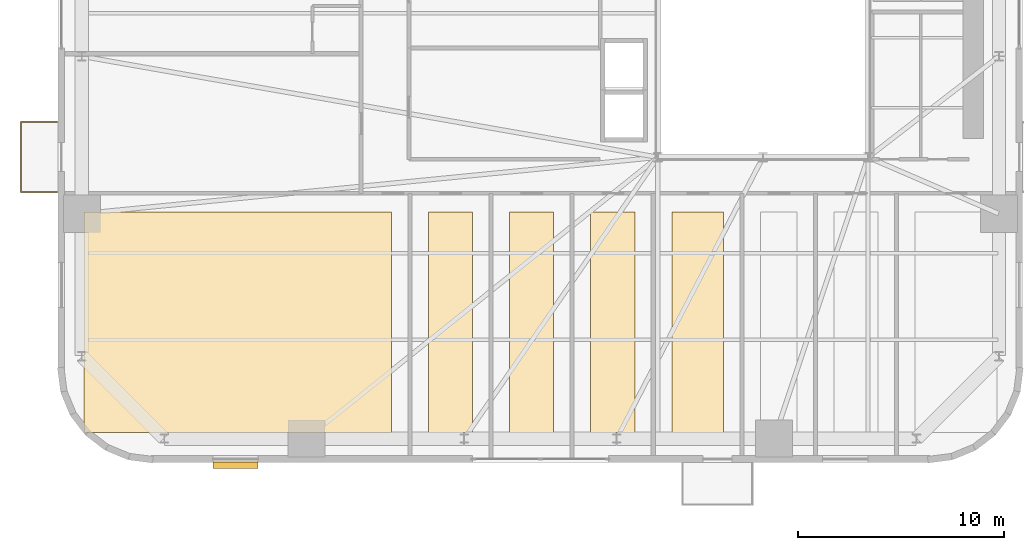
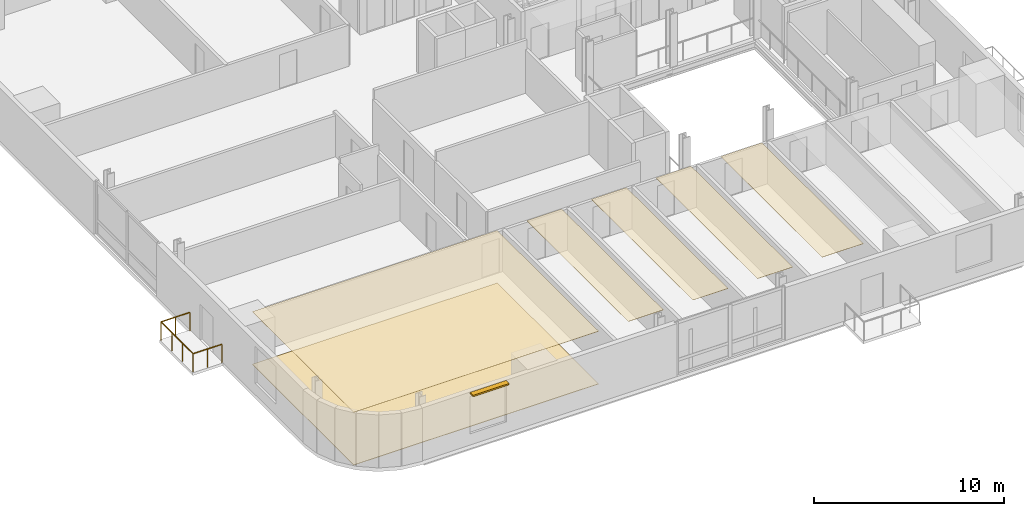
# One storey, part 10 of 13: 6 coverings, 1 railing, 1 shading device.
"""IFC4 building model written with IfcOpenShell, lengths in metres."""

from ifc_helpers import new_model, si_unit, direction, frame, origin, origin_2d, place, context, subcontext, project, spatial, polyline, rectangle, outline, extrude, source, transform, mapped, material, layer, layer_set, type_object, element, save


model = new_model("IFC4")

# Units and contexts
model_context = context("Model", 3, precision=1e-05, world=origin(), true_north=direction((0.0, 1.0)))
body_context = subcontext(model_context, "Body", "Model", "MODEL_VIEW")
ifc_project = project(units=[si_unit("LENGTHUNIT", "METRE"), si_unit("AREAUNIT", "SQUARE_METRE"), si_unit("VOLUMEUNIT", "CUBIC_METRE"), si_unit("PLANEANGLEUNIT", "RADIAN"), si_unit("MASSUNIT", "GRAM", prefix="KILO")], contexts=[model_context])

# Site, building, storey
site_placement = place(None, origin())
site = spatial("IfcSite", under=ifc_project, at=site_placement, CompositionType="ELEMENT")
building_placement = place(site_placement, origin())
building = spatial("IfcBuilding", under=site, at=building_placement, Name="Vardaveli Station Tower", CompositionType="ELEMENT")
storey_placement = place(building_placement, frame((0.0, 0.0, 53.14990234375)))
storey = spatial("IfcBuildingStorey", under=building, at=storey_placement, Name="L13", CompositionType="ELEMENT", Elevation=53.14990234375)

# Coverings
ifc_material_1 = material(Name="Perforated acoustic mineral ceiling")
ifc_layer_1 = layer(ifc_material_1, 0.02001953125, Name="Perforated acoustic mineral ceiling")
ifc_layer_set_1 = layer_set([ifc_layer_1], Name="Perforated acoustic mineral ceiling")
covering_type_1 = type_object("IfcCoveringType", Name="COV-CEIL-AC20", PredefinedType="CEILING", material=ifc_layer_set_1)
covering_1_placement = place(storey_placement, frame((0.0, 0.0, 3.39501953125)))
element("IfcCovering", 1, at=covering_1_placement, inside=storey, type_object=covering_type_1, Name="CEIL-L13-1", PredefinedType="CEILING", context=body_context, shape_type="SweptSolid", body=[
    extrude(outline(polyline([(3.35009765625, 3.25), (18.27001953125, 3.25), (18.27001953125, 13.949951171875), (3.35009765625, 13.949951171875), (3.35009765625, 3.25)])), origin(), (0.0, 0.0, 1.0), 0.02001953125),
])
covering_2_placement = place(storey_placement, frame((0.0, 0.0, 3.39501953125)))
element("IfcCovering", 2, at=covering_2_placement, inside=storey, type_object=covering_type_1, Name="CEIL-L13-2", PredefinedType="CEILING", context=body_context, shape_type="SweptSolid", body=[
    extrude(outline(polyline([(20.070068359375, 3.25), (22.206298828125, 3.25), (22.206298828125, 13.949951171875), (20.070068359375, 13.949951171875), (20.070068359375, 3.25)])), origin(), (0.0, 0.0, 1.0), 0.02001953125),
])
covering_3_placement = place(storey_placement, frame((0.0, 0.0, 3.39501953125)))
element("IfcCovering", 3, at=covering_3_placement, inside=storey, type_object=covering_type_1, Name="CEIL-L13-3", PredefinedType="CEILING", context=body_context, shape_type="SweptSolid", body=[
    extrude(outline(polyline([(24.006103515625, 3.25), (26.142578125, 3.25), (26.142578125, 13.949951171875), (24.006103515625, 13.949951171875), (24.006103515625, 3.25)])), origin(), (0.0, 0.0, 1.0), 0.02001953125),
])
covering_4_placement = place(storey_placement, frame((0.0, 0.0, 3.39501953125)))
element("IfcCovering", 4, at=covering_4_placement, inside=storey, type_object=covering_type_1, Name="CEIL-L13-4", PredefinedType="CEILING", context=body_context, shape_type="SweptSolid", body=[
    extrude(outline(polyline([(27.9423828125, 3.25), (30.07861328125, 3.25), (30.07861328125, 13.949951171875), (27.9423828125, 13.949951171875), (27.9423828125, 3.25)])), origin(), (0.0, 0.0, 1.0), 0.02001953125),
])
covering_5_placement = place(storey_placement, frame((0.0, 0.0, 3.39501953125)))
element("IfcCovering", 5, at=covering_5_placement, inside=storey, type_object=covering_type_1, Name="CEIL-L13-5", PredefinedType="CEILING", context=body_context, shape_type="SweptSolid", body=[
    extrude(outline(polyline([(31.878662109375, 3.25), (34.3896484375, 3.25), (34.3896484375, 13.949951171875), (31.878662109375, 13.949951171875), (31.878662109375, 3.25)])), origin(), (0.0, 0.0, 1.0), 0.02001953125),
])
ifc_material_2 = material(Name="Honed Caucasian basalt and travertine flooring", Category="masonry")
ifc_layer_2 = layer(ifc_material_2, 0.030029296875, Name="Honed Caucasian basalt and travertine flooring")
ifc_layer_set_2 = layer_set([ifc_layer_2], Name="Honed Caucasian basalt and travertine flooring")
covering_type_2 = type_object("IfcCoveringType", Name="COV-FLOOR-ST30", PredefinedType="FLOORING", material=ifc_layer_set_2)
covering_6_placement = place(storey_placement, origin())
element("IfcCovering", 6, at=covering_6_placement, inside=storey, type_object=covering_type_2, Name="FLR-L13-1", PredefinedType="FLOORING", context=body_context, shape_type="SweptSolid", body=[
    extrude(outline(polyline([(3.35009765625, 3.25), (18.27001953125, 3.25), (18.27001953125, 13.949951171875), (3.35009765625, 13.949951171875), (3.35009765625, 3.25)])), origin(), (0.0, 0.0, 1.0), 0.030029296875),
])

# Railing
ifc_material_3 = material(Name="Laminated glass and stainless steel balustrade", Category="steel")
railing_type = type_object("IfcRailingType", Name="RL-BAL-1200", PredefinedType="BALUSTRADE", material=ifc_material_3)
shared_shape_1 = source(origin(), body_context, "Body", "SweptSolid", [
    extrude(rectangle(XDim=0.048095703125, YDim=0.048095703125, at=origin_2d()), frame((0.0, 0.0, 1.17578125), z_axis=(-1.0, 0.0, 0.0), x_axis=(0.0, -1.0, 0.0)), (0.0, 0.0, 1.0), 1.75),
    extrude(rectangle(XDim=0.048095703125, YDim=0.048095703125, at=origin_2d()), frame((-1.75, 0.0, 1.17578125), z_axis=(0.0, 1.0, 0.0), x_axis=(-1.0, 0.0, 0.0)), (0.0, 0.0, 1.0), 3.3798828125),
    extrude(rectangle(XDim=0.048095703125, YDim=0.048095703125, at=origin_2d()), frame((-1.75, 3.3798828125, 1.17578125), z_axis=(1.0, 0.0, 0.0), x_axis=(0.0, 1.0, 0.0)), (0.0, 0.0, 1.0), 1.75),
    extrude(rectangle(XDim=0.0419921875, YDim=0.0419921875, at=origin_2d()), origin(), (0.0, 0.0, 1.0), 1.15185546875),
    extrude(rectangle(XDim=0.0419921875, YDim=0.0419921875, at=origin_2d()), frame((-0.875, 0.0, 0.0)), (0.0, 0.0, 1.0), 1.15185546875),
    extrude(rectangle(XDim=0.0419921875, YDim=0.0419921875, at=origin_2d()), frame((-1.75, 0.0, 0.0)), (0.0, 0.0, 1.0), 1.15185546875),
    extrude(rectangle(XDim=0.0419921875, YDim=0.0419921875, at=origin_2d()), frame((-1.75, 1.126708984375, 0.0)), (0.0, 0.0, 1.0), 1.15185546875),
    extrude(rectangle(XDim=0.0419921875, YDim=0.0419921875, at=origin_2d()), frame((-1.75, 2.253173828125, 0.0)), (0.0, 0.0, 1.0), 1.15185546875),
    extrude(rectangle(XDim=0.0419921875, YDim=0.0419921875, at=origin_2d()), frame((-1.75, 3.3798828125, 0.0)), (0.0, 0.0, 1.0), 1.15185546875),
    extrude(rectangle(XDim=0.0419921875, YDim=0.0419921875, at=origin_2d()), frame((-0.875, 3.3798828125, 0.0)), (0.0, 0.0, 1.0), 1.15185546875),
    extrude(rectangle(XDim=0.0419921875, YDim=0.0419921875, at=origin_2d()), frame((0.0, 3.3798828125, 0.0)), (0.0, 0.0, 1.0), 1.15185546875),
])
railing_placement = place(storey_placement, frame((2.06005859375, 14.92041015625, 0.0)))
element("IfcRailing", 7, at=railing_placement, inside=storey, type_object=railing_type, Name="RL-LOG-L13-03", PredefinedType="BALUSTRADE", context=body_context, shape_type="MappedRepresentation", body=[
    mapped(shared_shape_1, transform((0.0, 0.0, 0.0), scale=1.0)),
])

# Shading device
ifc_material_4 = material(Name="Anodised champagne aluminium sunshade", Category="aluminium")
ifc_layer_3 = layer(ifc_material_4, 0.090087890625, Name="Anodised champagne aluminium sunshade")
ifc_layer_set_3 = layer_set([ifc_layer_3], Name="Anodised champagne aluminium sunshade")
shading_device_type = type_object("IfcShadingDeviceType", Name="SHD-SUNSHADE", PredefinedType="USERDEFINED", material=ifc_layer_set_3)
shared_shape_2 = source(origin(), body_context, "Body", "SweptSolid", [
    extrude(rectangle(XDim=2.199951171875, YDim=0.320068359375, at=origin_2d()), origin(), (0.0, 0.0, 1.0), 0.090087890625),
])
shading_device_placement = place(storey_placement, frame((10.705078125, 1.655029296875, 3.2900390625), z_axis=(0.0, 0.0, 1.0), x_axis=(1.0, 0.0, 0.0)))
element("IfcShadingDevice", 8, at=shading_device_placement, inside=storey, type_object=shading_device_type, Name="SHD-SS-L13-S", ObjectType="SUNSHADE", PredefinedType="USERDEFINED", context=body_context, shape_type="MappedRepresentation", body=[
    mapped(shared_shape_2, transform((0.0, 0.0, 0.0), scale=1.0)),
])

save(model, "model.ifc")
